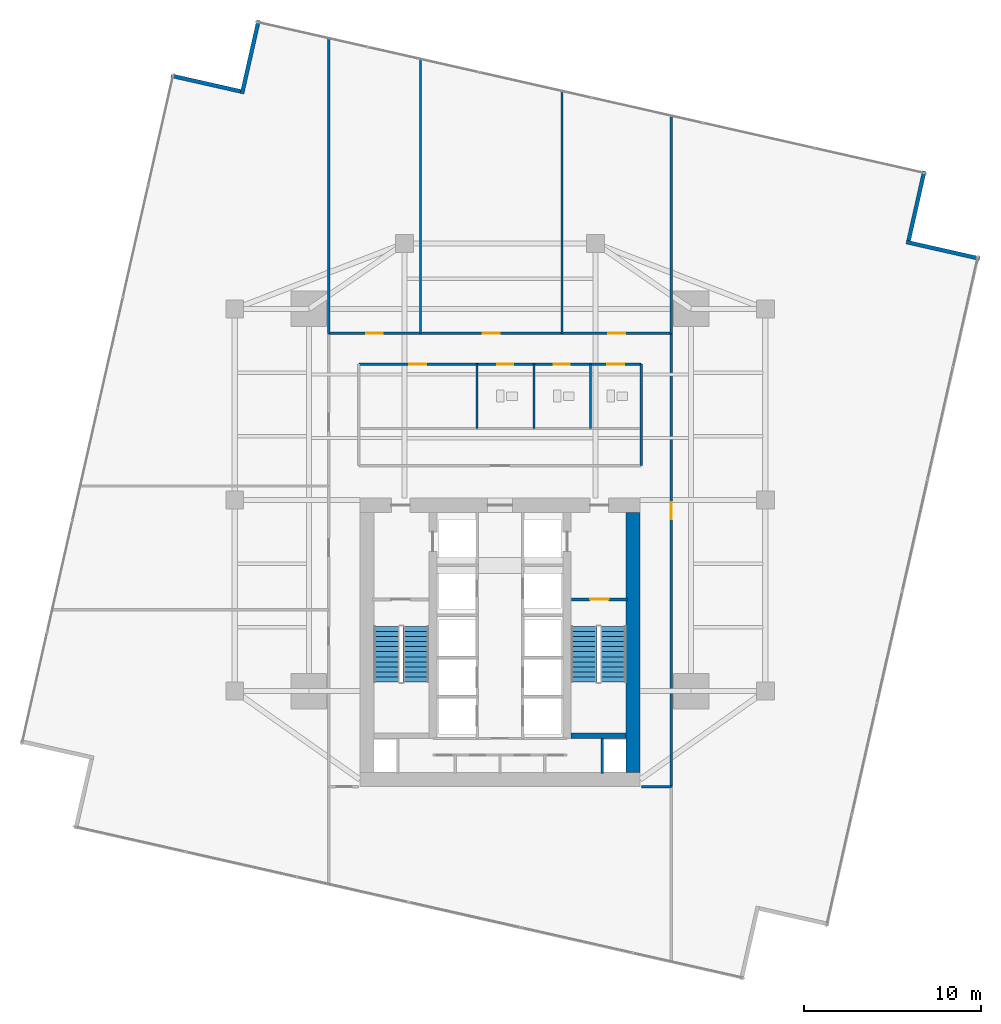
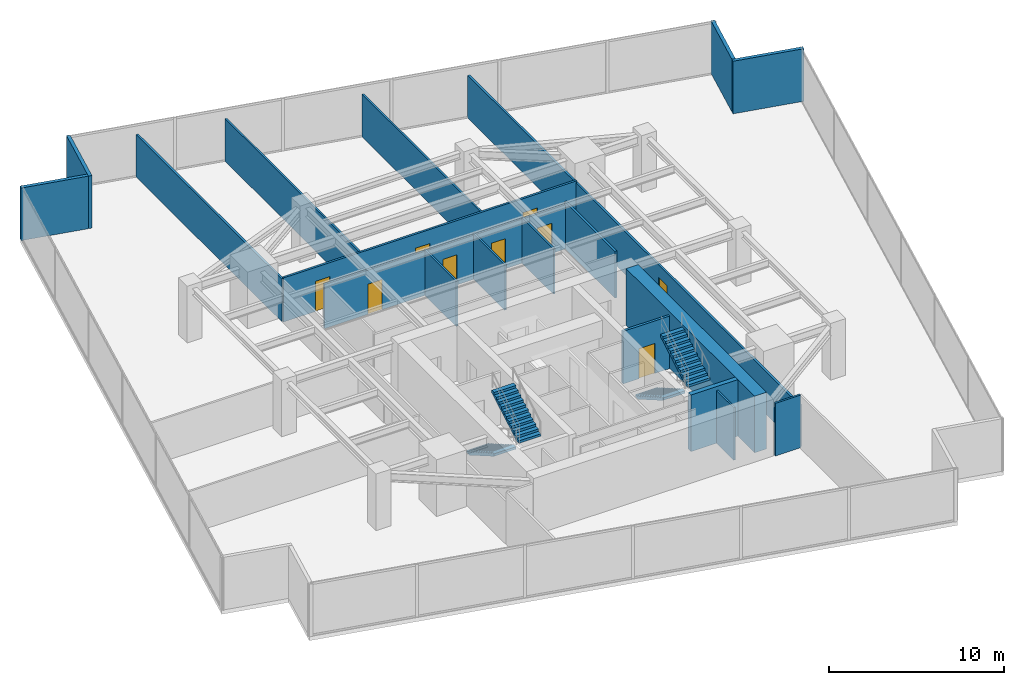
# One storey, part 24 of 26: 20 walls, 9 doors, 4 stair flights, 9 openings, 2 elements without a shape of their own.
"""IFC4 building model written with IfcOpenShell, lengths in metres."""

from ifc_helpers import new_model, si_unit, direction, frame, frame_2d, origin, place, context, subcontext, project, spatial, polyline, rectangle, outline, extrude, material, layer, layer_set, type_object, element, fill, aggregate, save


model = new_model("IFC4")

# Units and contexts
model_context = context("Model", 3, precision=1e-05, world=origin(), true_north=direction((0.0, 1.0)))
body_context = subcontext(model_context, "Body", "Model", "MODEL_VIEW")
ifc_project = project(units=[si_unit("LENGTHUNIT", "METRE"), si_unit("AREAUNIT", "SQUARE_METRE"), si_unit("VOLUMEUNIT", "CUBIC_METRE"), si_unit("PLANEANGLEUNIT", "RADIAN"), si_unit("MASSUNIT", "GRAM", prefix="KILO")], contexts=[model_context])

# Site, building, storey
site_placement = place(None, origin())
site = spatial("IfcSite", under=ifc_project, at=site_placement, CompositionType="ELEMENT")
building_placement = place(site_placement, origin())
building = spatial("IfcBuilding", under=site, at=building_placement, Name="Krantzveldt Concourse Tower", CompositionType="ELEMENT")
storey_placement = place(building_placement, frame((0.0, 0.0, 90.050048828125)))
storey = spatial("IfcBuildingStorey", under=building, at=storey_placement, Name="L21", CompositionType="ELEMENT", Elevation=90.050048828125)

# Walls
ifc_material_1 = material(Name="Anodised aluminium 6063-T6", Category="aluminium")
ifc_layer_1 = layer(ifc_material_1, 0.219970703125, Name="Anodised aluminium 6063-T6", Category="aluminium")
ifc_layer_set_1 = layer_set([ifc_layer_1], Name="Anodised aluminium 6063-T6 (WL-EXT-NOTCH220)")
wall_type_1 = type_object("IfcWallType", Name="WL-EXT-NOTCH220", PredefinedType="ELEMENTEDWALL", material=ifc_layer_set_1)
wall_1_placement = place(storey_placement, frame((21.335693359375, 49.7958984375, 0.0), z_axis=(0.0, 0.0, 1.0), x_axis=(-0.975349272951, 0.2206667074, 0.0)))
element("IfcWall", 1, at=wall_1_placement, inside=storey, type_object=wall_type_1, Name="EW-L21-NCH00", PredefinedType="ELEMENTEDWALL", context=body_context, shape_type="SweptSolid", body=[
    extrude(rectangle(XDim=4.02490234375, YDim=0.219970703125, at=frame_2d((2.012451171875, 0.0))), origin(), (0.0, 0.0, 1.0), 3.669921875),
])
wall_2_placement = place(storey_placement, frame((63.104736328125, 40.344482421875, 0.0), z_axis=(0.0, 0.0, 1.0), x_axis=(-0.975335262593, 0.220728624202, 0.0)))
element("IfcWall", 2, at=wall_2_placement, inside=storey, type_object=wall_type_1, Name="EW-L21-NCH08", PredefinedType="ELEMENTEDWALL", context=body_context, shape_type="SweptSolid", body=[
    extrude(rectangle(XDim=4.2451171875, YDim=0.219970703125, at=frame_2d((2.12255859375, 0.0))), origin(), (0.0, 0.0, 1.0), 3.669921875),
])
wall_3_placement = place(storey_placement, frame((59.095947265625, 41.364501953125, 0.0), z_axis=(0.0, 0.0, 1.0), x_axis=(0.220679762979, 0.975346319115, 0.0)))
element("IfcWall", 3, at=wall_3_placement, inside=storey, type_object=wall_type_1, Name="EW-L21-NCH09", PredefinedType="ELEMENTEDWALL", context=body_context, shape_type="SweptSolid", body=[
    extrude(rectangle(XDim=4.024658203125, YDim=0.219970703125, at=frame_2d((2.01220703125, 0.0))), origin(), (0.0, 0.0, 1.0), 3.669921875),
])
wall_4_placement = place(storey_placement, frame((22.35546875, 53.8046875, 0.0), z_axis=(0.0, 0.0, 1.0), x_axis=(-0.220673913812, -0.975347642517, 0.0)))
element("IfcWall", 4, at=wall_4_placement, inside=storey, type_object=wall_type_1, Name="EW-L21-NCH11", PredefinedType="ELEMENTEDWALL", context=body_context, shape_type="SweptSolid", body=[
    extrude(rectangle(XDim=4.2451171875, YDim=0.219970703125, at=frame_2d((2.12255859375, 0.0))), origin(), (0.0, 0.0, 1.0), 3.669921875),
])
ifc_material_2 = material(Name="Fire-rated gypsum plasterboard on steel stud", Category="steel")
ifc_layer_2 = layer(ifc_material_2, 0.1201171875, Name="Fire-rated gypsum plasterboard on steel stud", Category="steel")
ifc_layer_set_2 = layer_set([ifc_layer_2], Name="Fire-rated gypsum plasterboard on steel stud (WL-PART-120)")
wall_type_2 = type_object("IfcWallType", Name="WL-PART-120", PredefinedType="PARTITIONING", material=ifc_layer_set_2)
for number, where, z_axis, x_axis, name in (
    (5, (37.919921875, 30.739990234375, 0.0), (0.0, 0.0, 1.0), (0.0, 1.0, 0.0), "WP-L21-WCD1"),
    (6, (41.1201171875, 30.739990234375, 0.0), (0.0, 0.0, 1.0), (0.0, 1.0, 0.0), "WP-L21-WCD2"),
    (7, (34.699951171875, 30.739990234375, 0.0), (0.0, 0.0, 1.0), (0.0, 1.0, 0.0), "WP-L21-WCD3"),
):
    element("IfcWall", number, at=place(storey_placement, frame(where, z_axis=z_axis, x_axis=x_axis)), inside=storey, type_object=wall_type_2, Name=name, PredefinedType="PARTITIONING", context=body_context, shape_type="SweptSolid", body=[
        extrude(rectangle(XDim=3.639892578125, YDim=0.1201171875, at=frame_2d((1.81982421875, 0.0))), origin(), (0.0, 0.0, 1.0), 3.169921875),
    ])
wall_5_placement = place(storey_placement, frame((31.5, 36.1201171875, 0.0), z_axis=(0.0, 0.0, 1.0), x_axis=(0.0, 1.0, 0.0)))
element("IfcWall", 8, at=wall_5_placement, inside=storey, type_object=wall_type_2, Name="WP-L21-ND1", PredefinedType="PARTITIONING", context=body_context, shape_type="SweptSolid", body=[
    extrude(rectangle(XDim=15.497314453125, YDim=0.1201171875, at=frame_2d((7.74853515625, 0.0))), origin(), (0.0, 0.0, 1.0), 2.969970703125),
])
wall_6_placement = place(storey_placement, frame((39.5, 36.1201171875, 0.0), z_axis=(0.0, 0.0, 1.0), x_axis=(0.0, 1.0, 0.0)))
element("IfcWall", 9, at=wall_6_placement, inside=storey, type_object=wall_type_2, Name="WP-L21-ND2", PredefinedType="PARTITIONING", context=body_context, shape_type="SweptSolid", body=[
    extrude(rectangle(XDim=13.687255859375, YDim=0.1201171875, at=frame_2d((6.84375, 0.0))), origin(), (0.0, 0.0, 1.0), 2.969970703125),
])

# Wall, openings, doors
ifc_layer_3 = layer(ifc_material_2, 0.139892578125, Name="Fire-rated gypsum plasterboard on steel stud", Category="steel")
ifc_layer_set_3 = layer_set([ifc_layer_3], Name="Fire-rated gypsum plasterboard on steel stud (WL-PART-140)")
wall_type_3 = type_object("IfcWallType", Name="WL-PART-140", PredefinedType="PARTITIONING", material=ifc_layer_set_3)
wall_7_placement = place(storey_placement, frame((28.02001953125, 34.3798828125, 0.0), z_axis=(0.0, 0.0, 1.0), x_axis=(1.0, 0.0, 0.0)))
wall_7 = element("IfcWall", 10, at=wall_7_placement, inside=storey, type_object=wall_type_3, Name="WP-L21-ISLN", PredefinedType="PARTITIONING", context=body_context, shape_type="SweptSolid", body=[
    extrude(rectangle(XDim=15.9599609375, YDim=0.139892578125, at=frame_2d((7.97998046875, 0.0))), origin(), (0.0, 0.0, 1.0), 3.079833984375),
])
opening_1_placement = place(wall_7_placement, frame((7.830078125, 0.0, 0.0)))
opening_1 = element("IfcOpeningElement", 11, at=opening_1_placement, cuts=wall_7, Name="Opening D-IN090", PredefinedType="OPENING", context=body_context, shape_type="SweptSolid", body=[
    extrude(rectangle(XDim=0.89990234375, YDim=2.10009765625, at=frame_2d((0.449951171875, 1.050048828125))), frame((0.0, 0.080078125, 0.0), z_axis=(0.0, -1.0, 0.0), x_axis=(1.0, 0.0, 0.0)), (0.0, 0.0, 1.0), 0.159912109375),
])
opening_2_placement = place(wall_7_placement, frame((11.030029296875, 0.0, 0.0)))
opening_2 = element("IfcOpeningElement", 12, at=opening_2_placement, cuts=wall_7, Name="Opening D-IN090", PredefinedType="OPENING", context=body_context, shape_type="SweptSolid", body=[
    extrude(rectangle(XDim=0.89990234375, YDim=2.10009765625, at=frame_2d((0.449951171875, 1.050048828125))), frame((0.0, 0.080078125, 0.0), z_axis=(0.0, -1.0, 0.0), x_axis=(1.0, 0.0, 0.0)), (0.0, 0.0, 1.0), 0.159912109375),
])
opening_3_placement = place(wall_7_placement, frame((14.054931640625, 0.0, 0.0)))
opening_3 = element("IfcOpeningElement", 13, at=opening_3_placement, cuts=wall_7, Name="Opening D-IN095", PredefinedType="OPENING", context=body_context, shape_type="SweptSolid", body=[
    extrude(rectangle(XDim=0.949951171875, YDim=2.10009765625, at=frame_2d((0.47509765625, 1.050048828125))), frame((0.0, 0.080078125, 0.0), z_axis=(0.0, -1.0, 0.0), x_axis=(1.0, 0.0, 0.0)), (0.0, 0.0, 1.0), 0.159912109375),
])
opening_4_placement = place(wall_7_placement, frame((2.85498046875, 0.0, 0.0)))
opening_4 = element("IfcOpeningElement", 14, at=opening_4_placement, cuts=wall_7, Name="Opening D-IN095", PredefinedType="OPENING", context=body_context, shape_type="SweptSolid", body=[
    extrude(rectangle(XDim=0.949951171875, YDim=2.10009765625, at=frame_2d((0.47509765625, 1.050048828125))), frame((0.0, 0.080078125, 0.0), z_axis=(0.0, -1.0, 0.0), x_axis=(1.0, 0.0, 0.0)), (0.0, 0.0, 1.0), 0.159912109375),
])
ifc_material_3 = material(Name="Hardwood timber", Category="wood")
door_type_1 = type_object("IfcDoorType", Name="DR-INT-900", OperationType="SINGLE_SWING_LEFT", PredefinedType="DOOR", material=ifc_material_3)
door_1_placement = place(opening_1_placement, origin())
door_1 = element("IfcDoor", 15, at=door_1_placement, inside=storey, type_object=door_type_1, Name="DR-L21-WCM", OperationType="SINGLE_SWING_LEFT", OverallHeight=2.10009765625, OverallWidth=0.89990234375, PredefinedType="DOOR", context=body_context, shape_type="SweptSolid", body=[
    extrude(rectangle(XDim=0.89990234375, YDim=2.10009765625, at=frame_2d((0.449951171875, 1.050048828125))), frame((0.0, 0.02490234375, 0.0), z_axis=(0.0, -1.0, 0.0), x_axis=(1.0, 0.0, 0.0)), (0.0, 0.0, 1.0), 0.050048828125),
])
fill(opening_1, door_1)
door_2_placement = place(opening_2_placement, origin())
door_2 = element("IfcDoor", 16, at=door_2_placement, inside=storey, type_object=door_type_1, Name="DR-L21-WCF", OperationType="SINGLE_SWING_RIGHT", OverallHeight=2.10009765625, OverallWidth=0.89990234375, PredefinedType="DOOR", context=body_context, shape_type="SweptSolid", body=[
    extrude(rectangle(XDim=0.89990234375, YDim=2.10009765625, at=frame_2d((0.449951171875, 1.050048828125))), frame((0.0, 0.02490234375, 0.0), z_axis=(0.0, -1.0, 0.0), x_axis=(1.0, 0.0, 0.0)), (0.0, 0.0, 1.0), 0.050048828125),
])
fill(opening_2, door_2)
door_type_2 = type_object("IfcDoorType", Name="DR-INT-950", OperationType="SINGLE_SWING_LEFT", PredefinedType="DOOR", material=ifc_material_3)
door_3_placement = place(opening_3_placement, origin())
door_3 = element("IfcDoor", 17, at=door_3_placement, inside=storey, type_object=door_type_2, Name="DR-L21-WCA", OperationType="SINGLE_SWING_LEFT", OverallHeight=2.10009765625, OverallWidth=0.949951171875, PredefinedType="DOOR", context=body_context, shape_type="SweptSolid", body=[
    extrude(rectangle(XDim=0.949951171875, YDim=2.10009765625, at=frame_2d((0.47509765625, 1.050048828125))), frame((0.0, 0.02490234375, 0.0), z_axis=(0.0, -1.0, 0.0), x_axis=(1.0, 0.0, 0.0)), (0.0, 0.0, 1.0), 0.050048828125),
])
fill(opening_3, door_3)
door_4_placement = place(opening_4_placement, origin())
door_4 = element("IfcDoor", 18, at=door_4_placement, inside=storey, type_object=door_type_2, Name="DR-L21-PNT", OperationType="SINGLE_SWING_RIGHT", OverallHeight=2.10009765625, OverallWidth=0.949951171875, PredefinedType="DOOR", context=body_context, shape_type="SweptSolid", body=[
    extrude(rectangle(XDim=0.949951171875, YDim=2.10009765625, at=frame_2d((0.47509765625, 1.050048828125))), frame((0.0, 0.02490234375, 0.0), z_axis=(0.0, -1.0, 0.0), x_axis=(1.0, 0.0, 0.0)), (0.0, 0.0, 1.0), 0.050048828125),
])
fill(opening_4, door_4)

# Wall
wall_8_placement = place(storey_placement, frame((43.97998046875, 28.639892578125, 0.0), z_axis=(0.0, 0.0, 1.0), x_axis=(0.0, 1.0, 0.0)))
element("IfcWall", 19, at=wall_8_placement, inside=storey, type_object=wall_type_3, Name="WP-L21-ISLE", PredefinedType="PARTITIONING", context=body_context, shape_type="SweptSolid", body=[
    extrude(rectangle(XDim=5.739990234375, YDim=0.139892578125, at=frame_2d((2.8701171875, 0.0))), origin(), (0.0, 0.0, 1.0), 3.27001953125),
])

# Wall, openings, doors
wall_9_placement = place(storey_placement, frame((26.320068359375, 36.1201171875, 0.0), z_axis=(0.0, 0.0, 1.0), x_axis=(1.0, 0.0, 0.0)))
wall_9 = element("IfcWall", 20, at=wall_9_placement, inside=storey, type_object=wall_type_3, Name="WP-L21-CTOP", PredefinedType="PARTITIONING", context=body_context, shape_type="SweptSolid", body=[
    extrude(rectangle(XDim=19.35986328125, YDim=0.139892578125, at=frame_2d((9.679931640625, 0.0))), origin(), (0.0, 0.0, 1.0), 3.079833984375),
])
opening_5_placement = place(wall_9_placement, frame((2.114990234375, 0.0, 0.0)))
opening_5 = element("IfcOpeningElement", 21, at=opening_5_placement, cuts=wall_9, Name="Opening D-IN095", PredefinedType="OPENING", context=body_context, shape_type="SweptSolid", body=[
    extrude(rectangle(XDim=0.949951171875, YDim=2.10009765625, at=frame_2d((0.47509765625, 1.050048828125))), frame((0.0, 0.080078125, 0.0), z_axis=(0.0, -1.0, 0.0), x_axis=(1.0, 0.0, 0.0)), (0.0, 0.0, 1.0), 0.159912109375),
])
opening_6_placement = place(wall_9_placement, frame((8.705078125, 0.0, 0.0)))
opening_6 = element("IfcOpeningElement", 22, at=opening_6_placement, cuts=wall_9, Name="Opening D-IN095", PredefinedType="OPENING", context=body_context, shape_type="SweptSolid", body=[
    extrude(rectangle(XDim=0.949951171875, YDim=2.10009765625, at=frame_2d((0.47509765625, 1.050048828125))), frame((0.0, 0.080078125, 0.0), z_axis=(0.0, -1.0, 0.0), x_axis=(1.0, 0.0, 0.0)), (0.0, 0.0, 1.0), 0.159912109375),
])
opening_7_placement = place(wall_9_placement, frame((15.794921875, 0.0, 0.0)))
opening_7 = element("IfcOpeningElement", 23, at=opening_7_placement, cuts=wall_9, Name="Opening D-IN095", PredefinedType="OPENING", context=body_context, shape_type="SweptSolid", body=[
    extrude(rectangle(XDim=0.949951171875, YDim=2.10009765625, at=frame_2d((0.47509765625, 1.050048828125))), frame((0.0, 0.080078125, 0.0), z_axis=(0.0, -1.0, 0.0), x_axis=(1.0, 0.0, 0.0)), (0.0, 0.0, 1.0), 0.159912109375),
])
door_5_placement = place(opening_5_placement, origin())
door_5 = element("IfcDoor", 24, at=door_5_placement, inside=storey, type_object=door_type_2, Name="DR-L21-NR1", OperationType="SINGLE_SWING_LEFT", OverallHeight=2.10009765625, OverallWidth=0.949951171875, PredefinedType="DOOR", context=body_context, shape_type="SweptSolid", body=[
    extrude(rectangle(XDim=0.949951171875, YDim=2.10009765625, at=frame_2d((0.47509765625, 1.050048828125))), frame((0.0, 0.02490234375, 0.0), z_axis=(0.0, -1.0, 0.0), x_axis=(1.0, 0.0, 0.0)), (0.0, 0.0, 1.0), 0.050048828125),
])
fill(opening_5, door_5)
door_6_placement = place(opening_6_placement, origin())
door_6 = element("IfcDoor", 25, at=door_6_placement, inside=storey, type_object=door_type_2, Name="DR-L21-NR2", OperationType="SINGLE_SWING_LEFT", OverallHeight=2.10009765625, OverallWidth=0.949951171875, PredefinedType="DOOR", context=body_context, shape_type="SweptSolid", body=[
    extrude(rectangle(XDim=0.949951171875, YDim=2.10009765625, at=frame_2d((0.47509765625, 1.050048828125))), frame((0.0, 0.02490234375, 0.0), z_axis=(0.0, -1.0, 0.0), x_axis=(1.0, 0.0, 0.0)), (0.0, 0.0, 1.0), 0.050048828125),
])
fill(opening_6, door_6)
door_7_placement = place(opening_7_placement, origin())
door_7 = element("IfcDoor", 26, at=door_7_placement, inside=storey, type_object=door_type_2, Name="DR-L21-NR3", OperationType="SINGLE_SWING_LEFT", OverallHeight=2.10009765625, OverallWidth=0.949951171875, PredefinedType="DOOR", context=body_context, shape_type="SweptSolid", body=[
    extrude(rectangle(XDim=0.949951171875, YDim=2.10009765625, at=frame_2d((0.47509765625, 1.050048828125))), frame((0.0, 0.02490234375, 0.0), z_axis=(0.0, -1.0, 0.0), x_axis=(1.0, 0.0, 0.0)), (0.0, 0.0, 1.0), 0.050048828125),
])
fill(opening_7, door_7)

# Wall, opening, door
wall_10_placement = place(storey_placement, frame((45.679931640625, 10.5, 0.0), z_axis=(0.0, 0.0, 1.0), x_axis=(0.0, 1.0, 0.0)))
wall_10 = element("IfcWall", 27, at=wall_10_placement, inside=storey, type_object=wall_type_3, Name="WP-L21-CEAST", PredefinedType="PARTITIONING", context=body_context, shape_type="SweptSolid", body=[
    extrude(rectangle(XDim=25.6201171875, YDim=0.139892578125, at=frame_2d((12.81005859375, 0.0))), origin(), (0.0, 0.0, 1.0), 2.969970703125),
])
opening_8_placement = place(wall_10_placement, frame((15.125, 0.0, 0.0)))
opening_8 = element("IfcOpeningElement", 28, at=opening_8_placement, cuts=wall_10, Name="Opening D-IN095", PredefinedType="OPENING", context=body_context, shape_type="SweptSolid", body=[
    extrude(rectangle(XDim=0.949951171875, YDim=2.10009765625, at=frame_2d((0.47509765625, 1.050048828125))), frame((0.0, 0.080078125, 0.0), z_axis=(0.0, -1.0, 0.0), x_axis=(1.0, 0.0, 0.0)), (0.0, 0.0, 1.0), 0.159912109375),
])
door_8_placement = place(opening_8_placement, origin())
door_8 = element("IfcDoor", 29, at=door_8_placement, inside=storey, type_object=door_type_2, Name="DR-L21-ER1", OperationType="SINGLE_SWING_LEFT", OverallHeight=2.10009765625, OverallWidth=0.949951171875, PredefinedType="DOOR", context=body_context, shape_type="SweptSolid", body=[
    extrude(rectangle(XDim=0.949951171875, YDim=2.10009765625, at=frame_2d((0.47509765625, 1.050048828125))), frame((0.0, 0.02490234375, 0.0), z_axis=(0.0, -1.0, 0.0), x_axis=(1.0, 0.0, 0.0)), (0.0, 0.0, 1.0), 0.050048828125),
])
fill(opening_8, door_8)

# Walls
wall_11_placement = place(storey_placement, frame((44.0, 10.5, 0.0), z_axis=(0.0, 0.0, 1.0), x_axis=(1.0, 0.0, 0.0)))
element("IfcWall", 30, at=wall_11_placement, inside=storey, type_object=wall_type_3, Name="WP-L21-CEBOT", PredefinedType="PARTITIONING", context=body_context, shape_type="SweptSolid", body=[
    extrude(rectangle(XDim=1.679931640625, YDim=0.139892578125, at=frame_2d((0.83984375, 0.0))), origin(), (0.0, 0.0, 1.0), 3.669921875),
])
wall_12_placement = place(storey_placement, frame((26.320068359375, 36.1201171875, 0.0), z_axis=(0.0, 0.0, 1.0), x_axis=(0.0, 1.0, 0.0)))
element("IfcWall", 31, at=wall_12_placement, inside=storey, type_object=wall_type_3, Name="WP-L21-NWL", PredefinedType="PARTITIONING", context=body_context, shape_type="SweptSolid", body=[
    extrude(rectangle(XDim=16.669677734375, YDim=0.139892578125, at=frame_2d((8.3349609375, 0.0))), origin(), (0.0, 0.0, 1.0), 2.969970703125),
])
wall_13_placement = place(storey_placement, frame((45.679931640625, 36.1201171875, 0.0), z_axis=(0.0, 0.0, 1.0), x_axis=(0.0, 1.0, 0.0)))
element("IfcWall", 32, at=wall_13_placement, inside=storey, type_object=wall_type_3, Name="WP-L21-NER", PredefinedType="PARTITIONING", context=body_context, shape_type="SweptSolid", body=[
    extrude(rectangle(XDim=12.288818359375, YDim=0.139892578125, at=frame_2d((6.14453125, 0.0))), origin(), (0.0, 0.0, 1.0), 2.969970703125),
])
ifc_layer_4 = layer(ifc_material_2, 0.139892578125, Name="Fire-rated gypsum plasterboard on steel stud", Category="steel")
ifc_layer_set_4 = layer_set([ifc_layer_4], Name="Fire-rated gypsum plasterboard on steel stud (WL-PART-FR140)")
wall_type_4 = type_object("IfcWallType", Name="WL-PART-FR140", PredefinedType="PARTITIONING", material=ifc_layer_set_4)
wall_14_placement = place(storey_placement, frame((41.780029296875, 11.25, 0.0), z_axis=(0.0, 0.0, 1.0), x_axis=(0.0, 1.0, 0.0)))
element("IfcWall", 33, at=wall_14_placement, inside=storey, type_object=wall_type_4, Name="WP-L21-RSE", PredefinedType="PARTITIONING", context=body_context, shape_type="SweptSolid", body=[
    extrude(rectangle(XDim=1.969970703125, YDim=0.1201171875, at=frame_2d((0.98486328125, 0.0))), origin(), (0.0, 0.0, 1.0), 3.669921875),
])

# Wall, opening, door
ifc_layer_5 = layer(ifc_material_2, 0.159912109375, Name="Fire-rated gypsum plasterboard on steel stud", Category="steel")
ifc_layer_set_5 = layer_set([ifc_layer_5], Name="Fire-rated gypsum plasterboard on steel stud (WL-PART-FR160)")
wall_type_5 = type_object("IfcWallType", Name="WL-PART-FR160", PredefinedType="PARTITIONING", material=ifc_layer_set_5)
wall_15_placement = place(storey_placement, frame((40.0400390625, 21.080078125, 0.0), z_axis=(0.0, 0.0, 1.0), x_axis=(1.0, 0.0, 0.0)))
wall_15 = element("IfcWall", 34, at=wall_15_placement, inside=storey, type_object=wall_type_5, Name="WP-L21-ST2", PredefinedType="PARTITIONING", context=body_context, shape_type="SweptSolid", body=[
    extrude(rectangle(XDim=3.159912109375, YDim=0.159912109375, at=frame_2d((1.580078125, 0.0))), origin(), (0.0, 0.0, 1.0), 3.669921875),
])
opening_9_placement = place(wall_15_placement, frame((1.054931640625, 0.0, 0.0)))
opening_9 = element("IfcOpeningElement", 35, at=opening_9_placement, cuts=wall_15, Name="Opening D-FD105", PredefinedType="OPENING", context=body_context, shape_type="SweptSolid", body=[
    extrude(rectangle(XDim=1.050048828125, YDim=2.10009765625, at=frame_2d((0.52490234375, 1.050048828125))), frame((0.0, 0.08984375, 0.0), z_axis=(0.0, -1.0, 0.0), x_axis=(1.0, 0.0, 0.0)), (0.0, 0.0, 1.0), 0.179931640625),
])
ifc_material_4 = material(Name="Galvanised steel", Category="steel")
door_type_3 = type_object("IfcDoorType", Name="DR-FD120-1050", OperationType="SINGLE_SWING_LEFT", PredefinedType="DOOR", material=ifc_material_4)
door_9_placement = place(opening_9_placement, origin())
door_9 = element("IfcDoor", 36, at=door_9_placement, inside=storey, type_object=door_type_3, Name="DR-L21-ST2", OperationType="SINGLE_SWING_LEFT", OverallHeight=2.10009765625, OverallWidth=1.050048828125, PredefinedType="DOOR", context=body_context, shape_type="SweptSolid", body=[
    extrude(rectangle(XDim=1.050048828125, YDim=2.10009765625, at=frame_2d((0.52490234375, 1.050048828125))), frame((0.0, 0.02490234375, 0.0), z_axis=(0.0, -1.0, 0.0), x_axis=(1.0, 0.0, 0.0)), (0.0, 0.0, 1.0), 0.050048828125),
])
fill(opening_9, door_9)

# Walls
ifc_material_5 = material(Name="Concrete C50/60", Category="concrete")
ifc_layer_6 = layer(ifc_material_5, 0.300048828125, Name="Concrete C50/60", Category="concrete")
ifc_layer_set_6 = layer_set([ifc_layer_6], Name="Concrete C50/60 (WL-SHEAR-300)")
wall_type_6 = type_object("IfcWallType", Name="WL-SHEAR-300", PredefinedType="SHEAR", material=ifc_layer_set_6)
wall_16_placement = place(storey_placement, frame((40.02001953125, 13.3701171875, 0.0), z_axis=(0.0, 0.0, 1.0), x_axis=(1.0, 0.0, 0.0)))
element("IfcWall", 37, at=wall_16_placement, inside=storey, type_object=wall_type_6, Name="CW-L21-ST2S", PredefinedType="SHEAR", context=body_context, shape_type="SweptSolid", body=[
    extrude(rectangle(XDim=3.10009765625, YDim=0.300048828125, at=frame_2d((1.550048828125, 0.0))), origin(), (0.0, 0.0, 1.0), 3.949951171875),
])
ifc_material_6 = material(Name="Concrete C60/75", Category="concrete")
ifc_layer_7 = layer(ifc_material_6, 0.800048828125, Name="Concrete C60/75", Category="concrete")
ifc_layer_set_7 = layer_set([ifc_layer_7], Name="Concrete C60/75 (WL-SHEAR-800)")
wall_type_7 = type_object("IfcWallType", Name="WL-SHEAR-800", PredefinedType="SHEAR", material=ifc_layer_set_7)
wall_17_placement = place(storey_placement, frame((43.52001953125, 11.300048828125, 0.0), z_axis=(0.0, 0.0, 1.0), x_axis=(0.0, 1.0, 0.0)))
element("IfcWall", 38, at=wall_17_placement, inside=storey, type_object=wall_type_7, Name="CW-L21-E", PredefinedType="SHEAR", context=body_context, shape_type="SweptSolid", body=[
    extrude(rectangle(XDim=14.699951171875, YDim=0.800048828125, at=frame_2d((7.35009765625, 0.0))), origin(), (0.0, 0.0, 1.0), 3.949951171875),
])

# Stair, stair flights
ifc_material_7 = material(Name="Precast concrete C40/50", Category="concrete")
stair_type = type_object("IfcStairType", Name="STR-CORE-DOGLEG", PredefinedType="HALF_TURN_STAIR", material=ifc_material_7)
stair_1_placement = place(storey_placement, origin())
stair_1 = element("IfcStair", 39, at=stair_1_placement, inside=storey, type_object=stair_type, Name="L21 Protected Escape Stair ST-1", PredefinedType="HALF_TURN_STAIR")
stair_flight_type = type_object("IfcStairFlightType", Name="STF-CORE-1450", PredefinedType="STRAIGHT", material=ifc_material_7)
stair_flight_1_placement = place(storey_placement, frame((29.60498046875, 19.550048828125, 0.0), z_axis=(0.0, 0.0, 1.0), x_axis=(0.0, -1.0, 0.0)))
stair_flight_1 = element("IfcStairFlight", 40, at=stair_flight_1_placement, type_object=stair_flight_type, Name="ST-1 flight 1", NumberOfRisers=12, NumberOfTreads=11, PredefinedType="STRAIGHT", RiserHeight=0.164583333, TreadLength=0.285, context=body_context, shape_type="SweptSolid", body=[
    extrude(outline(polyline([(0.0, 0.0), (0.0, 0.16455078125), (0.284912109375, 0.16455078125), (0.284912109375, 0.3291015625), (0.570068359375, 0.3291015625), (0.570068359375, 0.49365234375), (0.85498046875, 0.49365234375), (0.85498046875, 0.658447265625), (1.139892578125, 0.658447265625), (1.139892578125, 0.822998046875), (1.425048828125, 0.822998046875), (1.425048828125, 0.987548828125), (1.7099609375, 0.987548828125), (1.7099609375, 1.152099609375), (1.9951171875, 1.152099609375), (1.9951171875, 1.316650390625), (2.280029296875, 1.316650390625), (2.280029296875, 1.481201171875), (2.56494140625, 1.481201171875), (2.56494140625, 1.645751953125), (2.85009765625, 1.645751953125), (2.85009765625, 1.810302734375), (3.135009765625, 1.810302734375), (3.135009765625, 1.97509765625), (3.135009765625, 1.63720703125), (0.2998046875, 0.0), (0.0, 0.0)])), frame((0.0, 0.72509765625, 0.0), z_axis=(0.0, -1.0, 0.0), x_axis=(1.0, 0.0, 0.0)), (0.0, 0.0, 1.0), 1.449951171875),
])
stair_flight_2_placement = place(storey_placement, frame((31.2548828125, 16.4150390625, 1.974853515625), z_axis=(0.0, 0.0, 1.0), x_axis=(0.0, 1.0, 0.0)))
stair_flight_2 = element("IfcStairFlight", 41, at=stair_flight_2_placement, type_object=stair_flight_type, Name="ST-1 flight 2", NumberOfRisers=12, NumberOfTreads=11, PredefinedType="STRAIGHT", RiserHeight=0.164583333, TreadLength=0.285, context=body_context, shape_type="SweptSolid", body=[
    extrude(outline(polyline([(0.0, 0.0), (0.0, 0.16455078125), (0.284912109375, 0.16455078125), (0.284912109375, 0.3291015625), (0.570068359375, 0.3291015625), (0.570068359375, 0.49365234375), (0.85498046875, 0.49365234375), (0.85498046875, 0.658447265625), (1.139892578125, 0.658447265625), (1.139892578125, 0.822998046875), (1.425048828125, 0.822998046875), (1.425048828125, 0.987548828125), (1.7099609375, 0.987548828125), (1.7099609375, 1.152099609375), (1.9951171875, 1.152099609375), (1.9951171875, 1.316650390625), (2.280029296875, 1.316650390625), (2.280029296875, 1.481201171875), (2.56494140625, 1.481201171875), (2.56494140625, 1.645751953125), (2.85009765625, 1.645751953125), (2.85009765625, 1.810302734375), (3.135009765625, 1.810302734375), (3.135009765625, 1.97509765625), (3.135009765625, 1.63720703125), (0.2998046875, 0.0), (0.0, 0.0)])), frame((0.0, 0.72509765625, 0.0), z_axis=(0.0, -1.0, 0.0), x_axis=(1.0, 0.0, 0.0)), (0.0, 0.0, 1.0), 1.449951171875),
])
aggregate(stair_1, [stair_flight_1, stair_flight_2])

stair_2_placement = place(storey_placement, origin())
stair_2 = element("IfcStair", 42, at=stair_2_placement, inside=storey, type_object=stair_type, Name="L21 Protected Escape Stair ST-2", PredefinedType="HALF_TURN_STAIR")
stair_flight_3_placement = place(storey_placement, frame((40.7451171875, 19.550048828125, 0.0), z_axis=(0.0, 0.0, 1.0), x_axis=(0.0, -1.0, 0.0)))
stair_flight_3 = element("IfcStairFlight", 43, at=stair_flight_3_placement, type_object=stair_flight_type, Name="ST-2 flight 1", NumberOfRisers=12, NumberOfTreads=11, PredefinedType="STRAIGHT", RiserHeight=0.164583333, TreadLength=0.285, context=body_context, shape_type="SweptSolid", body=[
    extrude(outline(polyline([(0.0, 0.0), (0.0, 0.16455078125), (0.284912109375, 0.16455078125), (0.284912109375, 0.3291015625), (0.570068359375, 0.3291015625), (0.570068359375, 0.49365234375), (0.85498046875, 0.49365234375), (0.85498046875, 0.658447265625), (1.139892578125, 0.658447265625), (1.139892578125, 0.822998046875), (1.425048828125, 0.822998046875), (1.425048828125, 0.987548828125), (1.7099609375, 0.987548828125), (1.7099609375, 1.152099609375), (1.9951171875, 1.152099609375), (1.9951171875, 1.316650390625), (2.280029296875, 1.316650390625), (2.280029296875, 1.481201171875), (2.56494140625, 1.481201171875), (2.56494140625, 1.645751953125), (2.85009765625, 1.645751953125), (2.85009765625, 1.810302734375), (3.135009765625, 1.810302734375), (3.135009765625, 1.97509765625), (3.135009765625, 1.63720703125), (0.2998046875, 0.0), (0.0, 0.0)])), frame((0.0, 0.72509765625, 0.0), z_axis=(0.0, -1.0, 0.0), x_axis=(1.0, 0.0, 0.0)), (0.0, 0.0, 1.0), 1.449951171875),
])
stair_flight_4_placement = place(storey_placement, frame((42.39501953125, 16.4150390625, 1.974853515625), z_axis=(0.0, 0.0, 1.0), x_axis=(0.0, 1.0, 0.0)))
stair_flight_4 = element("IfcStairFlight", 44, at=stair_flight_4_placement, type_object=stair_flight_type, Name="ST-2 flight 2", NumberOfRisers=12, NumberOfTreads=11, PredefinedType="STRAIGHT", RiserHeight=0.164583333, TreadLength=0.285, context=body_context, shape_type="SweptSolid", body=[
    extrude(outline(polyline([(0.0, 0.0), (0.0, 0.16455078125), (0.284912109375, 0.16455078125), (0.284912109375, 0.3291015625), (0.570068359375, 0.3291015625), (0.570068359375, 0.49365234375), (0.85498046875, 0.49365234375), (0.85498046875, 0.658447265625), (1.139892578125, 0.658447265625), (1.139892578125, 0.822998046875), (1.425048828125, 0.822998046875), (1.425048828125, 0.987548828125), (1.7099609375, 0.987548828125), (1.7099609375, 1.152099609375), (1.9951171875, 1.152099609375), (1.9951171875, 1.316650390625), (2.280029296875, 1.316650390625), (2.280029296875, 1.481201171875), (2.56494140625, 1.481201171875), (2.56494140625, 1.645751953125), (2.85009765625, 1.645751953125), (2.85009765625, 1.810302734375), (3.135009765625, 1.810302734375), (3.135009765625, 1.97509765625), (3.135009765625, 1.63720703125), (0.2998046875, 0.0), (0.0, 0.0)])), frame((0.0, 0.72509765625, 0.0), z_axis=(0.0, -1.0, 0.0), x_axis=(1.0, 0.0, 0.0)), (0.0, 0.0, 1.0), 1.449951171875),
])
aggregate(stair_2, [stair_flight_3, stair_flight_4])

save(model, "model.ifc")
